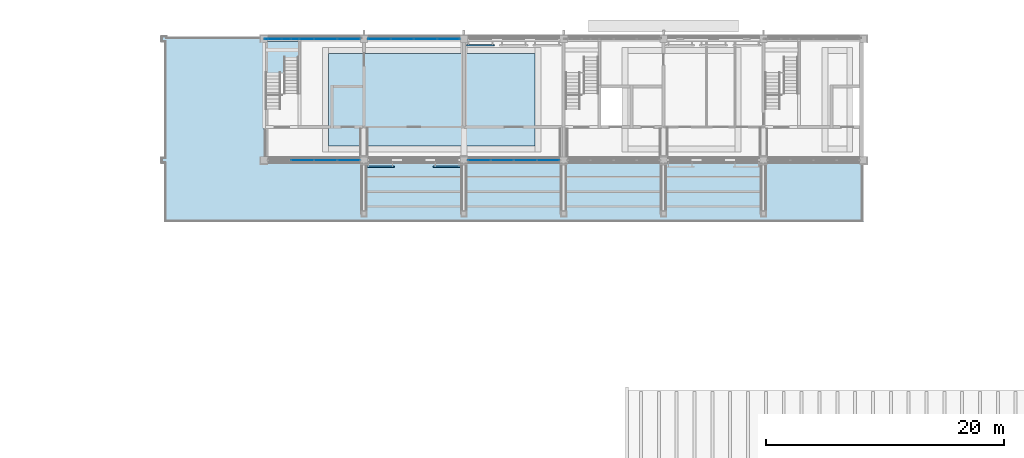
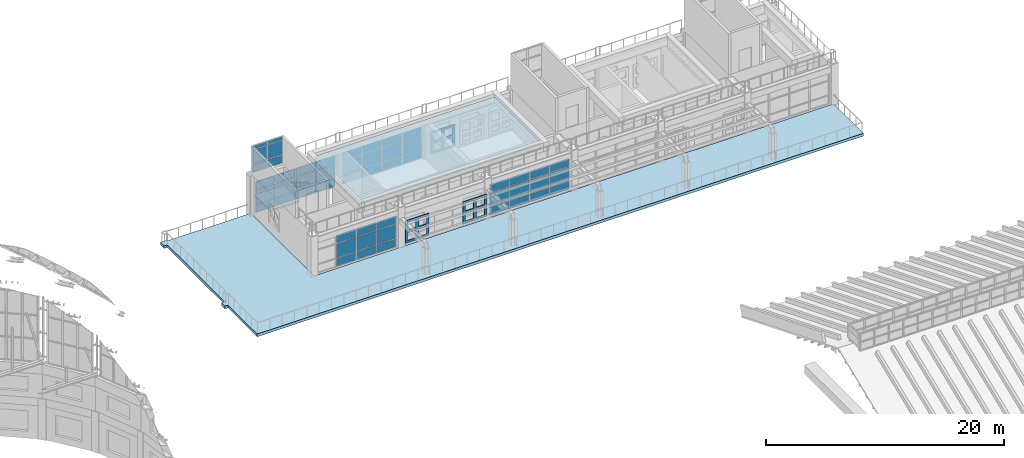
# One storey, part 51 of 105: 54 plates, 3 slabs, 6 elements without a shape of their own.
"""IFC4 building model written with IfcOpenShell, lengths in metres."""

from ifc_helpers import new_model, si_unit, direction, frame, origin, origin_2d, place, context, subcontext, project, spatial, polyline, rectangle, outline, extrude, material, layer, layer_set, material_profile, profile_set, type_object, element, aggregate, save


model = new_model("IFC4")

# Units and contexts
model_context = context("Model", 3, precision=1e-05, world=origin(), true_north=direction((0.0, 1.0)))
body_context = subcontext(model_context, "Body", "Model", "MODEL_VIEW")
ifc_project = project(units=[si_unit("LENGTHUNIT", "METRE"), si_unit("AREAUNIT", "SQUARE_METRE"), si_unit("VOLUMEUNIT", "CUBIC_METRE"), si_unit("PLANEANGLEUNIT", "RADIAN"), si_unit("MASSUNIT", "GRAM", prefix="KILO")], contexts=[model_context])

# Site, building, storey
site_placement = place(None, origin())
site = spatial("IfcSite", under=ifc_project, at=site_placement, CompositionType="ELEMENT")
building_placement = place(site_placement, origin())
building = spatial("IfcBuilding", under=site, at=building_placement, Name="Wasatch Bagh Community Centre", CompositionType="ELEMENT")
storey_placement = place(building_placement, frame((0.0, 0.0, 16.800048828125)))
storey = spatial("IfcBuildingStorey", under=building, at=storey_placement, Name="L04", CompositionType="ELEMENT", Elevation=16.800048828125)

# Curtain wall, plates
ifc_material_1 = material(Name="Aluminium curtain wall frame with low-iron glass", Category="aluminium")
ifc_layer_1 = layer(ifc_material_1, 0.10009765625)
ifc_layer_set_1 = layer_set([ifc_layer_1], Name="Aluminium curtain wall frame with low-iron glass")
curtain_wall_type_1 = type_object("IfcCurtainWallType", Name="LW curtain wall 100", PredefinedType="NOTDEFINED", material=ifc_layer_set_1)
curtain_wall_1_placement = place(storey_placement, origin())
curtain_wall_1 = element("IfcCurtainWall", 1, at=curtain_wall_1_placement, inside=storey, type_object=curtain_wall_type_1, Name="Curtain wall 04.05", PredefinedType="NOTDEFINED")
ifc_material_2 = material(Name="Low-iron insulated glass", Category="glass")
ifc_layer_2 = layer(ifc_material_2, 0.028076171875)
ifc_layer_set_2 = layer_set([ifc_layer_2], Name="Low-iron insulated glass")
plate_type_1 = type_object("IfcPlateType", Name="LW curtain wall panel 28", PredefinedType="CURTAIN_PANEL", material=ifc_layer_set_2)
plate_1_placement = place(storey_placement, frame((82.090087890625, 97.800048828125, 0.059814453125), z_axis=(0.0, 0.0, 1.0), x_axis=(1.0, 0.0, 0.0)))
plate_1 = element("IfcPlate", 2, at=plate_1_placement, type_object=plate_type_1, Name="LW-CW1 panel 1.1", PredefinedType="CURTAIN_PANEL", context=body_context, shape_type="SweptSolid", body=[
    extrude(rectangle(XDim=1.860107421875, YDim=0.028076171875, at=origin_2d()), origin(), (0.0, 0.0, 1.0), 0.81005859375),
])
plate_2_placement = place(storey_placement, frame((82.090087890625, 97.800048828125, 0.929931640625), z_axis=(0.0, 0.0, 1.0), x_axis=(1.0, 0.0, 0.0)))
plate_2 = element("IfcPlate", 3, at=plate_2_placement, type_object=plate_type_1, Name="LW-CW1 panel 1.2", PredefinedType="CURTAIN_PANEL", context=body_context, shape_type="SweptSolid", body=[
    extrude(rectangle(XDim=1.860107421875, YDim=0.028076171875, at=origin_2d()), origin(), (0.0, 0.0, 1.0), 1.43994140625),
])
plate_3_placement = place(storey_placement, frame((82.090087890625, 97.800048828125, 2.429931640625), z_axis=(0.0, 0.0, 1.0), x_axis=(1.0, 0.0, 0.0)))
plate_3 = element("IfcPlate", 4, at=plate_3_placement, type_object=plate_type_1, Name="LW-CW1 panel 1.3", PredefinedType="CURTAIN_PANEL", context=body_context, shape_type="SweptSolid", body=[
    extrude(rectangle(XDim=1.860107421875, YDim=0.028076171875, at=origin_2d()), origin(), (0.0, 0.0, 1.0), 0.81005859375),
])
plate_4_placement = place(storey_placement, frame((84.02490234375, 97.800048828125, 0.059814453125), z_axis=(0.0, 0.0, 1.0), x_axis=(1.0, 0.0, 0.0)))
plate_4 = element("IfcPlate", 5, at=plate_4_placement, type_object=plate_type_1, Name="LW-CW1 panel 2.1", PredefinedType="CURTAIN_PANEL", context=body_context, shape_type="SweptSolid", body=[
    extrude(rectangle(XDim=1.889892578125, YDim=0.028076171875, at=origin_2d()), origin(), (0.0, 0.0, 1.0), 0.81005859375),
])
plate_5_placement = place(storey_placement, frame((84.02490234375, 97.800048828125, 0.929931640625), z_axis=(0.0, 0.0, 1.0), x_axis=(1.0, 0.0, 0.0)))
plate_5 = element("IfcPlate", 6, at=plate_5_placement, type_object=plate_type_1, Name="LW-CW1 panel 2.2", PredefinedType="CURTAIN_PANEL", context=body_context, shape_type="SweptSolid", body=[
    extrude(rectangle(XDim=1.889892578125, YDim=0.028076171875, at=origin_2d()), origin(), (0.0, 0.0, 1.0), 1.43994140625),
])
plate_6_placement = place(storey_placement, frame((84.02490234375, 97.800048828125, 2.429931640625), z_axis=(0.0, 0.0, 1.0), x_axis=(1.0, 0.0, 0.0)))
plate_6 = element("IfcPlate", 7, at=plate_6_placement, type_object=plate_type_1, Name="LW-CW1 panel 2.3", PredefinedType="CURTAIN_PANEL", context=body_context, shape_type="SweptSolid", body=[
    extrude(rectangle(XDim=1.889892578125, YDim=0.028076171875, at=origin_2d()), origin(), (0.0, 0.0, 1.0), 0.81005859375),
])
plate_7_placement = place(storey_placement, frame((85.97509765625, 97.800048828125, 0.059814453125), z_axis=(0.0, 0.0, 1.0), x_axis=(1.0, 0.0, 0.0)))
plate_7 = element("IfcPlate", 8, at=plate_7_placement, type_object=plate_type_1, Name="LW-CW1 panel 3.1", PredefinedType="CURTAIN_PANEL", context=body_context, shape_type="SweptSolid", body=[
    extrude(rectangle(XDim=1.889892578125, YDim=0.028076171875, at=origin_2d()), origin(), (0.0, 0.0, 1.0), 0.81005859375),
])
plate_8_placement = place(storey_placement, frame((85.97509765625, 97.800048828125, 0.929931640625), z_axis=(0.0, 0.0, 1.0), x_axis=(1.0, 0.0, 0.0)))
plate_8 = element("IfcPlate", 9, at=plate_8_placement, type_object=plate_type_1, Name="LW-CW1 panel 3.2", PredefinedType="CURTAIN_PANEL", context=body_context, shape_type="SweptSolid", body=[
    extrude(rectangle(XDim=1.889892578125, YDim=0.028076171875, at=origin_2d()), origin(), (0.0, 0.0, 1.0), 1.43994140625),
])
plate_9_placement = place(storey_placement, frame((85.97509765625, 97.800048828125, 2.429931640625), z_axis=(0.0, 0.0, 1.0), x_axis=(1.0, 0.0, 0.0)))
plate_9 = element("IfcPlate", 10, at=plate_9_placement, type_object=plate_type_1, Name="LW-CW1 panel 3.3", PredefinedType="CURTAIN_PANEL", context=body_context, shape_type="SweptSolid", body=[
    extrude(rectangle(XDim=1.889892578125, YDim=0.028076171875, at=origin_2d()), origin(), (0.0, 0.0, 1.0), 0.81005859375),
])
plate_10_placement = place(storey_placement, frame((87.909912109375, 97.800048828125, 0.059814453125), z_axis=(0.0, 0.0, 1.0), x_axis=(1.0, 0.0, 0.0)))
plate_10 = element("IfcPlate", 11, at=plate_10_placement, type_object=plate_type_1, Name="LW-CW1 panel 4.1", PredefinedType="CURTAIN_PANEL", context=body_context, shape_type="SweptSolid", body=[
    extrude(rectangle(XDim=1.860107421875, YDim=0.028076171875, at=origin_2d()), origin(), (0.0, 0.0, 1.0), 0.81005859375),
])
plate_11_placement = place(storey_placement, frame((87.909912109375, 97.800048828125, 0.929931640625), z_axis=(0.0, 0.0, 1.0), x_axis=(1.0, 0.0, 0.0)))
plate_11 = element("IfcPlate", 12, at=plate_11_placement, type_object=plate_type_1, Name="LW-CW1 panel 4.2", PredefinedType="CURTAIN_PANEL", context=body_context, shape_type="SweptSolid", body=[
    extrude(rectangle(XDim=1.860107421875, YDim=0.028076171875, at=origin_2d()), origin(), (0.0, 0.0, 1.0), 1.43994140625),
])
plate_12_placement = place(storey_placement, frame((87.909912109375, 97.800048828125, 2.429931640625), z_axis=(0.0, 0.0, 1.0), x_axis=(1.0, 0.0, 0.0)))
plate_12 = element("IfcPlate", 13, at=plate_12_placement, type_object=plate_type_1, Name="LW-CW1 panel 4.3", PredefinedType="CURTAIN_PANEL", context=body_context, shape_type="SweptSolid", body=[
    extrude(rectangle(XDim=1.860107421875, YDim=0.028076171875, at=origin_2d()), origin(), (0.0, 0.0, 1.0), 0.81005859375),
])
aggregate(curtain_wall_1, [plate_1, plate_2, plate_3, plate_4, plate_5, plate_6, plate_7, plate_8, plate_9, plate_10, plate_11, plate_12])

ifc_layer_3 = layer(ifc_material_1, 0.1201171875)
ifc_layer_set_3 = layer_set([ifc_layer_3], Name="Aluminium curtain wall frame with low-iron glass")
curtain_wall_type_2 = type_object("IfcCurtainWallType", Name="LW study front curtain wall 120", PredefinedType="NOTDEFINED", material=ifc_layer_set_3)
curtain_wall_2_placement = place(storey_placement, origin())
curtain_wall_2 = element("IfcCurtainWall", 14, at=curtain_wall_2_placement, inside=storey, type_object=curtain_wall_type_2, Name="Curtain wall 04.06", PredefinedType="NOTDEFINED")
ifc_layer_4 = layer(ifc_material_2, 0.028076171875)
ifc_layer_set_4 = layer_set([ifc_layer_4], Name="Low-iron insulated glass")
plate_type_2 = type_object("IfcPlateType", Name="LW curtain wall panel 28 LW-CW2", PredefinedType="CURTAIN_PANEL", material=ifc_layer_set_4)
plate_13_placement = place(storey_placement, frame((90.489990234375, 97.800048828125, 0.059814453125), z_axis=(0.0, 0.0, 1.0), x_axis=(1.0, 0.0, 0.0)))
plate_13 = element("IfcPlate", 15, at=plate_13_placement, type_object=plate_type_2, Name="LW-CW2 panel 1.1", PredefinedType="CURTAIN_PANEL", context=body_context, shape_type="SweptSolid", body=[
    extrude(rectangle(XDim=1.860107421875, YDim=0.028076171875, at=origin_2d()), origin(), (0.0, 0.0, 1.0), 0.81005859375),
])
plate_14_placement = place(storey_placement, frame((90.489990234375, 97.800048828125, 0.929931640625), z_axis=(0.0, 0.0, 1.0), x_axis=(1.0, 0.0, 0.0)))
plate_14 = element("IfcPlate", 16, at=plate_14_placement, type_object=plate_type_2, Name="LW-CW2 panel 1.2", PredefinedType="CURTAIN_PANEL", context=body_context, shape_type="SweptSolid", body=[
    extrude(rectangle(XDim=1.860107421875, YDim=0.028076171875, at=origin_2d()), origin(), (0.0, 0.0, 1.0), 1.43994140625),
])
plate_15_placement = place(storey_placement, frame((90.489990234375, 97.800048828125, 2.429931640625), z_axis=(0.0, 0.0, 1.0), x_axis=(1.0, 0.0, 0.0)))
plate_15 = element("IfcPlate", 17, at=plate_15_placement, type_object=plate_type_2, Name="LW-CW2 panel 1.3", PredefinedType="CURTAIN_PANEL", context=body_context, shape_type="SweptSolid", body=[
    extrude(rectangle(XDim=1.860107421875, YDim=0.028076171875, at=origin_2d()), origin(), (0.0, 0.0, 1.0), 0.81005859375),
])
plate_16_placement = place(storey_placement, frame((92.425048828125, 97.800048828125, 0.059814453125), z_axis=(0.0, 0.0, 1.0), x_axis=(1.0, 0.0, 0.0)))
plate_16 = element("IfcPlate", 18, at=plate_16_placement, type_object=plate_type_2, Name="LW-CW2 panel 2.1", PredefinedType="CURTAIN_PANEL", context=body_context, shape_type="SweptSolid", body=[
    extrude(rectangle(XDim=1.889892578125, YDim=0.028076171875, at=origin_2d()), origin(), (0.0, 0.0, 1.0), 0.81005859375),
])
plate_17_placement = place(storey_placement, frame((92.425048828125, 97.800048828125, 0.929931640625), z_axis=(0.0, 0.0, 1.0), x_axis=(1.0, 0.0, 0.0)))
plate_17 = element("IfcPlate", 19, at=plate_17_placement, type_object=plate_type_2, Name="LW-CW2 panel 2.2", PredefinedType="CURTAIN_PANEL", context=body_context, shape_type="SweptSolid", body=[
    extrude(rectangle(XDim=1.889892578125, YDim=0.028076171875, at=origin_2d()), origin(), (0.0, 0.0, 1.0), 1.43994140625),
])
plate_18_placement = place(storey_placement, frame((92.425048828125, 97.800048828125, 2.429931640625), z_axis=(0.0, 0.0, 1.0), x_axis=(1.0, 0.0, 0.0)))
plate_18 = element("IfcPlate", 20, at=plate_18_placement, type_object=plate_type_2, Name="LW-CW2 panel 2.3", PredefinedType="CURTAIN_PANEL", context=body_context, shape_type="SweptSolid", body=[
    extrude(rectangle(XDim=1.889892578125, YDim=0.028076171875, at=origin_2d()), origin(), (0.0, 0.0, 1.0), 0.81005859375),
])
plate_19_placement = place(storey_placement, frame((94.375, 97.800048828125, 0.059814453125), z_axis=(0.0, 0.0, 1.0), x_axis=(1.0, 0.0, 0.0)))
plate_19 = element("IfcPlate", 21, at=plate_19_placement, type_object=plate_type_2, Name="LW-CW2 panel 3.1", PredefinedType="CURTAIN_PANEL", context=body_context, shape_type="SweptSolid", body=[
    extrude(rectangle(XDim=1.889892578125, YDim=0.028076171875, at=origin_2d()), origin(), (0.0, 0.0, 1.0), 0.81005859375),
])
plate_20_placement = place(storey_placement, frame((94.375, 97.800048828125, 0.929931640625), z_axis=(0.0, 0.0, 1.0), x_axis=(1.0, 0.0, 0.0)))
plate_20 = element("IfcPlate", 22, at=plate_20_placement, type_object=plate_type_2, Name="LW-CW2 panel 3.2", PredefinedType="CURTAIN_PANEL", context=body_context, shape_type="SweptSolid", body=[
    extrude(rectangle(XDim=1.889892578125, YDim=0.028076171875, at=origin_2d()), origin(), (0.0, 0.0, 1.0), 1.43994140625),
])
plate_21_placement = place(storey_placement, frame((94.375, 97.800048828125, 2.429931640625), z_axis=(0.0, 0.0, 1.0), x_axis=(1.0, 0.0, 0.0)))
plate_21 = element("IfcPlate", 23, at=plate_21_placement, type_object=plate_type_2, Name="LW-CW2 panel 3.3", PredefinedType="CURTAIN_PANEL", context=body_context, shape_type="SweptSolid", body=[
    extrude(rectangle(XDim=1.889892578125, YDim=0.028076171875, at=origin_2d()), origin(), (0.0, 0.0, 1.0), 0.81005859375),
])
plate_22_placement = place(storey_placement, frame((96.31005859375, 97.800048828125, 0.059814453125), z_axis=(0.0, 0.0, 1.0), x_axis=(1.0, 0.0, 0.0)))
plate_22 = element("IfcPlate", 24, at=plate_22_placement, type_object=plate_type_2, Name="LW-CW2 panel 4.1", PredefinedType="CURTAIN_PANEL", context=body_context, shape_type="SweptSolid", body=[
    extrude(rectangle(XDim=1.860107421875, YDim=0.028076171875, at=origin_2d()), origin(), (0.0, 0.0, 1.0), 0.81005859375),
])
plate_23_placement = place(storey_placement, frame((96.31005859375, 97.800048828125, 0.929931640625), z_axis=(0.0, 0.0, 1.0), x_axis=(1.0, 0.0, 0.0)))
plate_23 = element("IfcPlate", 25, at=plate_23_placement, type_object=plate_type_2, Name="LW-CW2 panel 4.2", PredefinedType="CURTAIN_PANEL", context=body_context, shape_type="SweptSolid", body=[
    extrude(rectangle(XDim=1.860107421875, YDim=0.028076171875, at=origin_2d()), origin(), (0.0, 0.0, 1.0), 1.43994140625),
])
plate_24_placement = place(storey_placement, frame((96.31005859375, 97.800048828125, 2.429931640625), z_axis=(0.0, 0.0, 1.0), x_axis=(1.0, 0.0, 0.0)))
plate_24 = element("IfcPlate", 26, at=plate_24_placement, type_object=plate_type_2, Name="LW-CW2 panel 4.3", PredefinedType="CURTAIN_PANEL", context=body_context, shape_type="SweptSolid", body=[
    extrude(rectangle(XDim=1.860107421875, YDim=0.028076171875, at=origin_2d()), origin(), (0.0, 0.0, 1.0), 0.81005859375),
])
aggregate(curtain_wall_2, [plate_13, plate_14, plate_15, plate_16, plate_17, plate_18, plate_19, plate_20, plate_21, plate_22, plate_23, plate_24])

ifc_layer_5 = layer(ifc_material_1, 0.139892578125)
ifc_layer_set_5 = layer_set([ifc_layer_5], Name="Aluminium curtain wall frame with low-iron glass")
curtain_wall_type_3 = type_object("IfcCurtainWallType", Name="LW terrace front curtain wall 140", PredefinedType="NOTDEFINED", material=ifc_layer_set_5)
curtain_wall_3_placement = place(storey_placement, origin())
curtain_wall_3 = element("IfcCurtainWall", 27, at=curtain_wall_3_placement, inside=storey, type_object=curtain_wall_type_3, Name="Curtain wall 04.01", PredefinedType="NOTDEFINED")
ifc_layer_6 = layer(ifc_material_2, 0.028076171875)
ifc_layer_set_6 = layer_set([ifc_layer_6], Name="Low-iron insulated glass")
plate_type_3 = type_object("IfcPlateType", Name="LW curtain wall panel 28 LW-CW3", PredefinedType="CURTAIN_PANEL", material=ifc_layer_set_6)
plate_25_placement = place(storey_placement, frame((84.02490234375, 87.60009765625, 0.059814453125), z_axis=(0.0, 0.0, 1.0), x_axis=(1.0, 0.0, 0.0)))
plate_25 = element("IfcPlate", 28, at=plate_25_placement, type_object=plate_type_3, Name="LW-CW3 panel 2.1", PredefinedType="CURTAIN_PANEL", context=body_context, shape_type="SweptSolid", body=[
    extrude(rectangle(XDim=1.889892578125, YDim=0.028076171875, at=origin_2d()), origin(), (0.0, 0.0, 1.0), 0.81005859375),
])
plate_26_placement = place(storey_placement, frame((84.02490234375, 87.60009765625, 0.929931640625), z_axis=(0.0, 0.0, 1.0), x_axis=(1.0, 0.0, 0.0)))
plate_26 = element("IfcPlate", 29, at=plate_26_placement, type_object=plate_type_3, Name="LW-CW3 panel 2.2", PredefinedType="CURTAIN_PANEL", context=body_context, shape_type="SweptSolid", body=[
    extrude(rectangle(XDim=1.889892578125, YDim=0.028076171875, at=origin_2d()), origin(), (0.0, 0.0, 1.0), 1.43994140625),
])
plate_27_placement = place(storey_placement, frame((84.02490234375, 87.60009765625, 2.429931640625), z_axis=(0.0, 0.0, 1.0), x_axis=(1.0, 0.0, 0.0)))
plate_27 = element("IfcPlate", 30, at=plate_27_placement, type_object=plate_type_3, Name="LW-CW3 panel 2.3", PredefinedType="CURTAIN_PANEL", context=body_context, shape_type="SweptSolid", body=[
    extrude(rectangle(XDim=1.889892578125, YDim=0.028076171875, at=origin_2d()), origin(), (0.0, 0.0, 1.0), 0.81005859375),
])
plate_28_placement = place(storey_placement, frame((85.97509765625, 87.60009765625, 0.059814453125), z_axis=(0.0, 0.0, 1.0), x_axis=(1.0, 0.0, 0.0)))
plate_28 = element("IfcPlate", 31, at=plate_28_placement, type_object=plate_type_3, Name="LW-CW3 panel 3.1", PredefinedType="CURTAIN_PANEL", context=body_context, shape_type="SweptSolid", body=[
    extrude(rectangle(XDim=1.889892578125, YDim=0.028076171875, at=origin_2d()), origin(), (0.0, 0.0, 1.0), 0.81005859375),
])
plate_29_placement = place(storey_placement, frame((85.97509765625, 87.60009765625, 0.929931640625), z_axis=(0.0, 0.0, 1.0), x_axis=(1.0, 0.0, 0.0)))
plate_29 = element("IfcPlate", 32, at=plate_29_placement, type_object=plate_type_3, Name="LW-CW3 panel 3.2", PredefinedType="CURTAIN_PANEL", context=body_context, shape_type="SweptSolid", body=[
    extrude(rectangle(XDim=1.889892578125, YDim=0.028076171875, at=origin_2d()), origin(), (0.0, 0.0, 1.0), 1.43994140625),
])
plate_30_placement = place(storey_placement, frame((85.97509765625, 87.60009765625, 2.429931640625), z_axis=(0.0, 0.0, 1.0), x_axis=(1.0, 0.0, 0.0)))
plate_30 = element("IfcPlate", 33, at=plate_30_placement, type_object=plate_type_3, Name="LW-CW3 panel 3.3", PredefinedType="CURTAIN_PANEL", context=body_context, shape_type="SweptSolid", body=[
    extrude(rectangle(XDim=1.889892578125, YDim=0.028076171875, at=origin_2d()), origin(), (0.0, 0.0, 1.0), 0.81005859375),
])
plate_31_placement = place(storey_placement, frame((87.909912109375, 87.60009765625, 0.059814453125), z_axis=(0.0, 0.0, 1.0), x_axis=(1.0, 0.0, 0.0)))
plate_31 = element("IfcPlate", 34, at=plate_31_placement, type_object=plate_type_3, Name="LW-CW3 panel 4.1", PredefinedType="CURTAIN_PANEL", context=body_context, shape_type="SweptSolid", body=[
    extrude(rectangle(XDim=1.860107421875, YDim=0.028076171875, at=origin_2d()), origin(), (0.0, 0.0, 1.0), 0.81005859375),
])
plate_32_placement = place(storey_placement, frame((87.909912109375, 87.60009765625, 0.929931640625), z_axis=(0.0, 0.0, 1.0), x_axis=(1.0, 0.0, 0.0)))
plate_32 = element("IfcPlate", 35, at=plate_32_placement, type_object=plate_type_3, Name="LW-CW3 panel 4.2", PredefinedType="CURTAIN_PANEL", context=body_context, shape_type="SweptSolid", body=[
    extrude(rectangle(XDim=1.860107421875, YDim=0.028076171875, at=origin_2d()), origin(), (0.0, 0.0, 1.0), 1.43994140625),
])
plate_33_placement = place(storey_placement, frame((87.909912109375, 87.60009765625, 2.429931640625), z_axis=(0.0, 0.0, 1.0), x_axis=(1.0, 0.0, 0.0)))
plate_33 = element("IfcPlate", 36, at=plate_33_placement, type_object=plate_type_3, Name="LW-CW3 panel 4.3", PredefinedType="CURTAIN_PANEL", context=body_context, shape_type="SweptSolid", body=[
    extrude(rectangle(XDim=1.860107421875, YDim=0.028076171875, at=origin_2d()), origin(), (0.0, 0.0, 1.0), 0.81005859375),
])
aggregate(curtain_wall_3, [plate_25, plate_26, plate_27, plate_28, plate_29, plate_30, plate_31, plate_32, plate_33])

curtain_wall_4_placement = place(storey_placement, origin())
curtain_wall_4 = element("IfcCurtainWall", 37, at=curtain_wall_4_placement, inside=storey, type_object=curtain_wall_type_3, Name="Curtain wall 04.02", PredefinedType="NOTDEFINED")
plate_34_placement = place(storey_placement, frame((98.889892578125, 87.60009765625, 0.059814453125), z_axis=(0.0, 0.0, 1.0), x_axis=(1.0, 0.0, 0.0)))
plate_34 = element("IfcPlate", 38, at=plate_34_placement, type_object=plate_type_3, Name="LW-CW3 panel 1.1", PredefinedType="CURTAIN_PANEL", context=body_context, shape_type="SweptSolid", body=[
    extrude(rectangle(XDim=1.860107421875, YDim=0.028076171875, at=origin_2d()), origin(), (0.0, 0.0, 1.0), 0.81005859375),
])
plate_35_placement = place(storey_placement, frame((98.889892578125, 87.60009765625, 0.929931640625), z_axis=(0.0, 0.0, 1.0), x_axis=(1.0, 0.0, 0.0)))
plate_35 = element("IfcPlate", 39, at=plate_35_placement, type_object=plate_type_3, Name="LW-CW3 panel 1.2", PredefinedType="CURTAIN_PANEL", context=body_context, shape_type="SweptSolid", body=[
    extrude(rectangle(XDim=1.860107421875, YDim=0.028076171875, at=origin_2d()), origin(), (0.0, 0.0, 1.0), 1.43994140625),
])
plate_36_placement = place(storey_placement, frame((98.889892578125, 87.60009765625, 2.429931640625), z_axis=(0.0, 0.0, 1.0), x_axis=(1.0, 0.0, 0.0)))
plate_36 = element("IfcPlate", 40, at=plate_36_placement, type_object=plate_type_3, Name="LW-CW3 panel 1.3", PredefinedType="CURTAIN_PANEL", context=body_context, shape_type="SweptSolid", body=[
    extrude(rectangle(XDim=1.860107421875, YDim=0.028076171875, at=origin_2d()), origin(), (0.0, 0.0, 1.0), 0.81005859375),
])
plate_37_placement = place(storey_placement, frame((100.824951171875, 87.60009765625, 0.059814453125), z_axis=(0.0, 0.0, 1.0), x_axis=(1.0, 0.0, 0.0)))
plate_37 = element("IfcPlate", 41, at=plate_37_placement, type_object=plate_type_3, Name="LW-CW3 panel 2.1", PredefinedType="CURTAIN_PANEL", context=body_context, shape_type="SweptSolid", body=[
    extrude(rectangle(XDim=1.889892578125, YDim=0.028076171875, at=origin_2d()), origin(), (0.0, 0.0, 1.0), 0.81005859375),
])
plate_38_placement = place(storey_placement, frame((100.824951171875, 87.60009765625, 0.929931640625), z_axis=(0.0, 0.0, 1.0), x_axis=(1.0, 0.0, 0.0)))
plate_38 = element("IfcPlate", 42, at=plate_38_placement, type_object=plate_type_3, Name="LW-CW3 panel 2.2", PredefinedType="CURTAIN_PANEL", context=body_context, shape_type="SweptSolid", body=[
    extrude(rectangle(XDim=1.889892578125, YDim=0.028076171875, at=origin_2d()), origin(), (0.0, 0.0, 1.0), 1.43994140625),
])
plate_39_placement = place(storey_placement, frame((100.824951171875, 87.60009765625, 2.429931640625), z_axis=(0.0, 0.0, 1.0), x_axis=(1.0, 0.0, 0.0)))
plate_39 = element("IfcPlate", 43, at=plate_39_placement, type_object=plate_type_3, Name="LW-CW3 panel 2.3", PredefinedType="CURTAIN_PANEL", context=body_context, shape_type="SweptSolid", body=[
    extrude(rectangle(XDim=1.889892578125, YDim=0.028076171875, at=origin_2d()), origin(), (0.0, 0.0, 1.0), 0.81005859375),
])
plate_40_placement = place(storey_placement, frame((102.77490234375, 87.60009765625, 0.059814453125), z_axis=(0.0, 0.0, 1.0), x_axis=(1.0, 0.0, 0.0)))
plate_40 = element("IfcPlate", 44, at=plate_40_placement, type_object=plate_type_3, Name="LW-CW3 panel 3.1", PredefinedType="CURTAIN_PANEL", context=body_context, shape_type="SweptSolid", body=[
    extrude(rectangle(XDim=1.889892578125, YDim=0.028076171875, at=origin_2d()), origin(), (0.0, 0.0, 1.0), 0.81005859375),
])
plate_41_placement = place(storey_placement, frame((102.77490234375, 87.60009765625, 0.929931640625), z_axis=(0.0, 0.0, 1.0), x_axis=(1.0, 0.0, 0.0)))
plate_41 = element("IfcPlate", 45, at=plate_41_placement, type_object=plate_type_3, Name="LW-CW3 panel 3.2", PredefinedType="CURTAIN_PANEL", context=body_context, shape_type="SweptSolid", body=[
    extrude(rectangle(XDim=1.889892578125, YDim=0.028076171875, at=origin_2d()), origin(), (0.0, 0.0, 1.0), 1.43994140625),
])
plate_42_placement = place(storey_placement, frame((102.77490234375, 87.60009765625, 2.429931640625), z_axis=(0.0, 0.0, 1.0), x_axis=(1.0, 0.0, 0.0)))
plate_42 = element("IfcPlate", 46, at=plate_42_placement, type_object=plate_type_3, Name="LW-CW3 panel 3.3", PredefinedType="CURTAIN_PANEL", context=body_context, shape_type="SweptSolid", body=[
    extrude(rectangle(XDim=1.889892578125, YDim=0.028076171875, at=origin_2d()), origin(), (0.0, 0.0, 1.0), 0.81005859375),
])
plate_43_placement = place(storey_placement, frame((104.7099609375, 87.60009765625, 0.059814453125), z_axis=(0.0, 0.0, 1.0), x_axis=(1.0, 0.0, 0.0)))
plate_43 = element("IfcPlate", 47, at=plate_43_placement, type_object=plate_type_3, Name="LW-CW3 panel 4.1", PredefinedType="CURTAIN_PANEL", context=body_context, shape_type="SweptSolid", body=[
    extrude(rectangle(XDim=1.860107421875, YDim=0.028076171875, at=origin_2d()), origin(), (0.0, 0.0, 1.0), 0.81005859375),
])
plate_44_placement = place(storey_placement, frame((104.7099609375, 87.60009765625, 0.929931640625), z_axis=(0.0, 0.0, 1.0), x_axis=(1.0, 0.0, 0.0)))
plate_44 = element("IfcPlate", 48, at=plate_44_placement, type_object=plate_type_3, Name="LW-CW3 panel 4.2", PredefinedType="CURTAIN_PANEL", context=body_context, shape_type="SweptSolid", body=[
    extrude(rectangle(XDim=1.860107421875, YDim=0.028076171875, at=origin_2d()), origin(), (0.0, 0.0, 1.0), 1.43994140625),
])
plate_45_placement = place(storey_placement, frame((104.7099609375, 87.60009765625, 2.429931640625), z_axis=(0.0, 0.0, 1.0), x_axis=(1.0, 0.0, 0.0)))
plate_45 = element("IfcPlate", 49, at=plate_45_placement, type_object=plate_type_3, Name="LW-CW3 panel 4.3", PredefinedType="CURTAIN_PANEL", context=body_context, shape_type="SweptSolid", body=[
    extrude(rectangle(XDim=1.860107421875, YDim=0.028076171875, at=origin_2d()), origin(), (0.0, 0.0, 1.0), 0.81005859375),
])
aggregate(curtain_wall_4, [plate_34, plate_35, plate_36, plate_37, plate_38, plate_39, plate_40, plate_41, plate_42, plate_43, plate_44, plate_45])

ifc_layer_7 = layer(ifc_material_1, 0.090087890625)
ifc_layer_set_7 = layer_set([ifc_layer_7], Name="Aluminium curtain wall frame with low-iron glass")
curtain_wall_type_4 = type_object("IfcCurtainWallType", Name="LW head house curtain wall 90", PredefinedType="NOTDEFINED", material=ifc_layer_set_7)
curtain_wall_5_placement = place(storey_placement, origin())
curtain_wall_5 = element("IfcCurtainWall", 50, at=curtain_wall_5_placement, inside=storey, type_object=curtain_wall_type_4, Name="Curtain wall 04.50", PredefinedType="NOTDEFINED")
ifc_layer_8 = layer(ifc_material_2, 0.028076171875)
ifc_layer_set_8 = layer_set([ifc_layer_8], Name="Low-iron insulated glass")
plate_type_4 = type_object("IfcPlateType", Name="LW curtain wall panel 28 LW-CW5", PredefinedType="CURTAIN_PANEL", material=ifc_layer_set_8)
plate_46_placement = place(storey_placement, frame((81.56494140625, 97.800048828125, 4.260009765625), z_axis=(0.0, 0.0, 1.0), x_axis=(1.0, 0.0, 0.0)))
plate_46 = element("IfcPlate", 51, at=plate_46_placement, type_object=plate_type_4, Name="LW-CW5 panel 1.1", PredefinedType="CURTAIN_PANEL", context=body_context, shape_type="SweptSolid", body=[
    extrude(rectangle(XDim=1.409912109375, YDim=0.028076171875, at=origin_2d()), origin(), (0.0, 0.0, 1.0), 0.81005859375),
])
plate_47_placement = place(storey_placement, frame((81.56494140625, 97.800048828125, 5.1298828125), z_axis=(0.0, 0.0, 1.0), x_axis=(1.0, 0.0, 0.0)))
plate_47 = element("IfcPlate", 52, at=plate_47_placement, type_object=plate_type_4, Name="LW-CW5 panel 1.2", PredefinedType="CURTAIN_PANEL", context=body_context, shape_type="SweptSolid", body=[
    extrude(rectangle(XDim=1.409912109375, YDim=0.028076171875, at=origin_2d()), origin(), (0.0, 0.0, 1.0), 1.43994140625),
])
plate_48_placement = place(storey_placement, frame((81.56494140625, 97.800048828125, 6.6298828125), z_axis=(0.0, 0.0, 1.0), x_axis=(1.0, 0.0, 0.0)))
plate_48 = element("IfcPlate", 53, at=plate_48_placement, type_object=plate_type_4, Name="LW-CW5 panel 1.3", PredefinedType="CURTAIN_PANEL", context=body_context, shape_type="SweptSolid", body=[
    extrude(rectangle(XDim=1.409912109375, YDim=0.028076171875, at=origin_2d()), origin(), (0.0, 0.0, 1.0), 0.31005859375),
])
plate_49_placement = place(storey_placement, frame((83.034912109375, 97.800048828125, 4.260009765625), z_axis=(0.0, 0.0, 1.0), x_axis=(1.0, 0.0, 0.0)))
plate_49 = element("IfcPlate", 54, at=plate_49_placement, type_object=plate_type_4, Name="LW-CW5 panel 2.1", PredefinedType="CURTAIN_PANEL", context=body_context, shape_type="SweptSolid", body=[
    extrude(rectangle(XDim=1.409912109375, YDim=0.028076171875, at=origin_2d()), origin(), (0.0, 0.0, 1.0), 0.81005859375),
])
plate_50_placement = place(storey_placement, frame((83.034912109375, 97.800048828125, 5.1298828125), z_axis=(0.0, 0.0, 1.0), x_axis=(1.0, 0.0, 0.0)))
plate_50 = element("IfcPlate", 55, at=plate_50_placement, type_object=plate_type_4, Name="LW-CW5 panel 2.2", PredefinedType="CURTAIN_PANEL", context=body_context, shape_type="SweptSolid", body=[
    extrude(rectangle(XDim=1.409912109375, YDim=0.028076171875, at=origin_2d()), origin(), (0.0, 0.0, 1.0), 1.43994140625),
])
plate_51_placement = place(storey_placement, frame((83.034912109375, 97.800048828125, 6.6298828125), z_axis=(0.0, 0.0, 1.0), x_axis=(1.0, 0.0, 0.0)))
plate_51 = element("IfcPlate", 56, at=plate_51_placement, type_object=plate_type_4, Name="LW-CW5 panel 2.3", PredefinedType="CURTAIN_PANEL", context=body_context, shape_type="SweptSolid", body=[
    extrude(rectangle(XDim=1.409912109375, YDim=0.028076171875, at=origin_2d()), origin(), (0.0, 0.0, 1.0), 0.31005859375),
])
aggregate(curtain_wall_5, [plate_46, plate_47, plate_48, plate_49, plate_50, plate_51])

# Plates
ifc_material_3 = material(Name="Precast concrete C40/50", Category="concrete")
ifc_material_profile = material_profile(ifc_material_3, outline(polyline([(-1.159912109375, -1.159912109375), (1.159912109375, -1.159912109375), (1.159912109375, 1.159912109375), (-1.159912109375, 1.159912109375), (-1.159912109375, -1.159912109375)]), holes=[polyline([(-0.919921875, -0.919921875), (-0.14990234375, -0.919921875), (-0.14990234375, -0.14990234375), (-0.919921875, -0.14990234375), (-0.919921875, -0.919921875)]), polyline([(-0.919921875, 0.14990234375), (-0.14990234375, 0.14990234375), (-0.14990234375, 0.919921875), (-0.919921875, 0.919921875), (-0.919921875, 0.14990234375)]), polyline([(0.14990234375, -0.919921875), (0.919921875, -0.919921875), (0.919921875, -0.14990234375), (0.14990234375, -0.14990234375), (0.14990234375, -0.919921875)]), polyline([(0.14990234375, 0.14990234375), (0.919921875, 0.14990234375), (0.919921875, 0.919921875), (0.14990234375, 0.919921875), (0.14990234375, 0.14990234375)])]), Name="Jali lattice")
ifc_profile_set = profile_set([ifc_material_profile], Name="Precast concrete C40/50")
plate_type_5 = type_object("IfcPlateType", Name="LW jali panel 2320x2320", PredefinedType="SHEET", material=ifc_profile_set)
for number, where, z_axis, x_axis, name in (
    (57, (90.60009765625, 87.10009765625, 1.659912109375), (0.0, -1.0, 0.0), (1.0, 0.0, 0.0), "Jali panel"),
    (58, (96.199951171875, 87.10009765625, 1.659912109375), (0.0, -1.0, 0.0), (1.0, 0.0, 0.0), "Jali panel"),
    (59, (99.0, 97.300048828125, 1.659912109375), (0.0, -1.0, 0.0), (1.0, 0.0, 0.0), "Jali panel"),
):
    element("IfcPlate", number, at=place(storey_placement, frame(where, z_axis=z_axis, x_axis=x_axis)), inside=storey, type_object=plate_type_5, Name=name, PredefinedType="SHEET", context=body_context, shape_type="SweptSolid", body=[
        extrude(outline(polyline([(-1.159912109375, -1.159912109375), (1.159912109375, -1.159912109375), (1.159912109375, 1.159912109375), (-1.159912109375, 1.159912109375), (-1.159912109375, -1.159912109375)]), holes=[polyline([(-0.919921875, -0.919921875), (-0.14990234375, -0.919921875), (-0.14990234375, -0.14990234375), (-0.919921875, -0.14990234375), (-0.919921875, -0.919921875)]), polyline([(-0.919921875, 0.14990234375), (-0.14990234375, 0.14990234375), (-0.14990234375, 0.919921875), (-0.919921875, 0.919921875), (-0.919921875, 0.14990234375)]), polyline([(0.14990234375, -0.919921875), (0.919921875, -0.919921875), (0.919921875, -0.14990234375), (0.14990234375, -0.14990234375), (0.14990234375, -0.919921875)]), polyline([(0.14990234375, 0.14990234375), (0.919921875, 0.14990234375), (0.919921875, 0.919921875), (0.14990234375, 0.919921875), (0.14990234375, 0.14990234375)])]), origin(), (0.0, 0.0, 1.0), 0.070068359375),
    ])

# Slab
ifc_material_4 = material(Name="Planting soil over Concrete C30", Category="concrete")
ifc_layer_9 = layer(ifc_material_4, 0.60009765625)
ifc_layer_set_9 = layer_set([ifc_layer_9], Name="Planting soil over Concrete C30")
slab_type_1 = type_object("IfcSlabType", Name="LW planting bed 600", PredefinedType="FLOOR", material=ifc_layer_set_9)
slab_1_placement = place(storey_placement, frame((0.0, 0.0, 4.199951171875)))
element("IfcSlab", 60, at=slab_1_placement, inside=storey, type_object=slab_type_1, Name="Planting bed T5 (roof garden: small trees and grasses)", PredefinedType="FLOOR", context=body_context, shape_type="SweptSolid", body=[
    extrude(outline(polyline([(86.199951171875, 88.800048828125), (103.60009765625, 88.800048828125), (103.60009765625, 96.60009765625), (86.199951171875, 96.60009765625), (86.199951171875, 88.800048828125)])), origin(), (0.0, 0.0, 1.0), 0.60009765625),
])

# Stair, slab
ifc_material_5 = material(Name="Concrete C35", Category="concrete")
stair_type = type_object("IfcStairType", Name="LW core stair", PredefinedType="HALF_TURN_STAIR", material=ifc_material_5)
stair_placement = place(storey_placement, origin())
stair = element("IfcStair", 61, at=stair_placement, inside=storey, type_object=stair_type, Name="Stair Stair and Lift C1", PredefinedType="HALF_TURN_STAIR")
ifc_layer_10 = layer(ifc_material_5, 0.199951171875)
ifc_layer_set_10 = layer_set([ifc_layer_10], Name="Concrete C35")
slab_type_2 = type_object("IfcSlabType", Name="LW stair landing 200", PredefinedType="LANDING", material=ifc_layer_set_10)
slab_2_placement = place(storey_placement, frame((0.0, 0.0, 1.89990234375)))
slab_2 = element("IfcSlab", 62, at=slab_2_placement, type_object=slab_type_2, Name="ST-C1-4 landing 1", PredefinedType="LANDING", context=body_context, shape_type="SweptSolid", body=[
    extrude(outline(polyline([(80.925048828125, 94.9599609375), (83.735107421875, 94.9599609375), (83.735107421875, 97.60009765625), (80.925048828125, 97.60009765625), (80.925048828125, 94.9599609375)])), origin(), (0.0, 0.0, 1.0), 0.199951171875),
])
aggregate(stair, [slab_2])

# Slab
ifc_layer_11 = layer(ifc_material_5, 0.280029296875)
ifc_layer_set_11 = layer_set([ifc_layer_11], Name="Concrete C35")
slab_type_3 = type_object("IfcSlabType", Name="LW terrace slab 280", PredefinedType="FLOOR", material=ifc_layer_set_11)
slab_3_placement = place(storey_placement, frame((0.0, 0.0, -0.280029296875)))
element("IfcSlab", 63, at=slab_3_placement, inside=storey, type_object=slab_type_3, Name="LW.slab.L04.08", PredefinedType="FLOOR", context=body_context, shape_type="SweptSolid", body=[
    extrude(outline(polyline([(72.10009765625, 97.5), (72.10009765625, 98.10009765625), (72.699951171875, 98.10009765625), (72.699951171875, 98.0), (80.5, 98.0), (80.800048828125, 98.0), (80.800048828125, 87.39990234375), (131.199951171875, 87.39990234375), (131.199951171875, 87.300048828125), (131.199951171875, 82.39990234375), (72.39990234375, 82.39990234375), (72.39990234375, 87.300048828125), (72.10009765625, 87.300048828125), (72.10009765625, 87.89990234375), (72.39990234375, 87.89990234375), (72.39990234375, 97.5), (72.10009765625, 97.5)])), origin(), (0.0, 0.0, 1.0), 0.280029296875),
])

save(model, "model.ifc")
